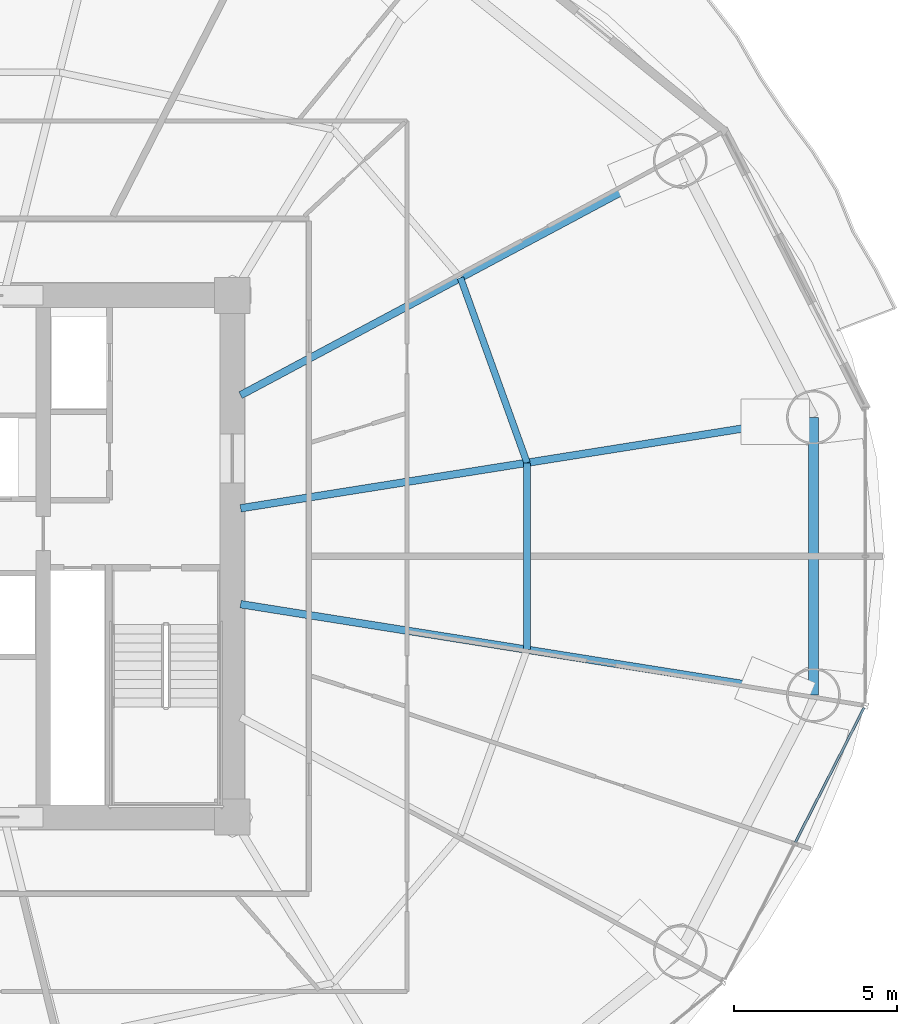
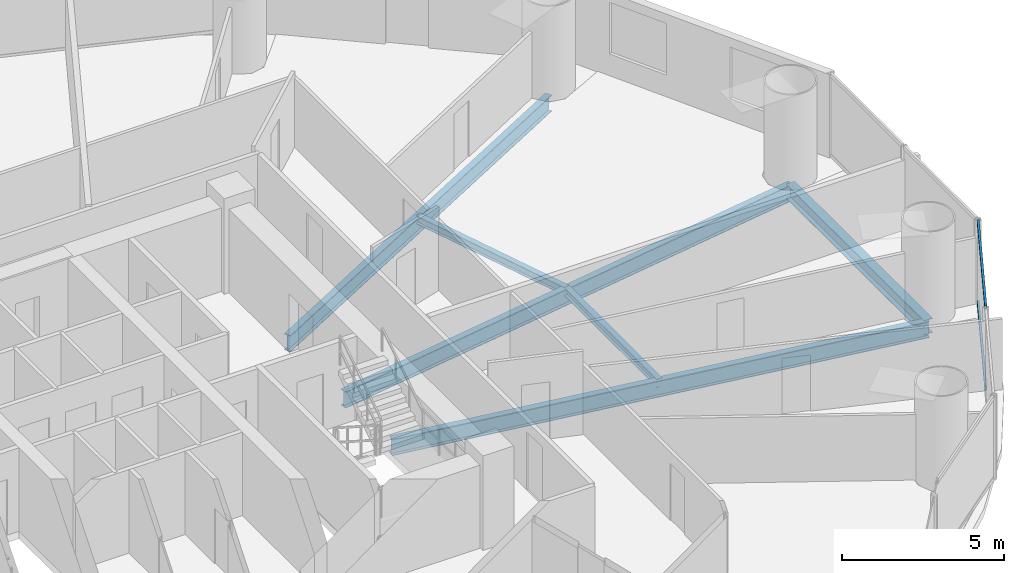
# One storey, part 13 of 29: 6 beams, 2 members, 1 element without a shape of its own.
"""IFC4 building model written with IfcOpenShell, lengths in metres."""

from ifc_helpers import new_model, si_unit, direction, frame, origin, origin_2d, place, context, subcontext, project, spatial, hollow_rectangle, i_section, extrude, source, transform, mapped, material, material_profile, profile_set, type_object, element, aggregate, save


model = new_model("IFC4")

# Units and contexts
model_context = context("Model", 3, precision=1e-05, world=origin(), true_north=direction((-0.2419218956, 0.970295726276)))
body_context = subcontext(model_context, "Body", "Model", "MODEL_VIEW")
ifc_project = project(units=[si_unit("LENGTHUNIT", "METRE"), si_unit("AREAUNIT", "SQUARE_METRE"), si_unit("VOLUMEUNIT", "CUBIC_METRE"), si_unit("PLANEANGLEUNIT", "RADIAN"), si_unit("MASSUNIT", "GRAM", prefix="KILO")], contexts=[model_context])

# Site, building, storey
site_placement = place(None, origin())
site = spatial("IfcSite", under=ifc_project, at=site_placement, CompositionType="ELEMENT")
building_placement = place(site_placement, origin())
building = spatial("IfcBuilding", under=site, at=building_placement, Name="Cobrevalo Terracotta Tower", CompositionType="ELEMENT")
storey_placement = place(building_placement, frame((0.0, 0.0, 70.800048828125)))
storey = spatial("IfcBuildingStorey", under=building, at=storey_placement, Name="L18", CompositionType="ELEMENT", Elevation=70.800048828125)

# Beams
ifc_material_1 = material(Name="Steel S355", Category="steel")
ifc_material_profile_1 = material_profile(ifc_material_1, i_section(OverallWidth=0.22998046875, OverallDepth=0.616943359375, WebThickness=0.01318359375, FlangeThickness=0.022216796875, at=origin_2d()), Name="W 610x140")
ifc_profile_set_1 = profile_set([ifc_material_profile_1], Name="Steel S355")
beam_type_1 = type_object("IfcBeamType", Name="Structural Beam W 610x140 (Steel S355)", PredefinedType="BEAM", material=ifc_profile_set_1)
beam_1_placement = place(storey_placement, frame((64.824462890625, 31.062744140625, -0.588623046875), z_axis=(-0.987607924622, -0.156941349628, 0.0), x_axis=(0.156941349628, -0.987607924622, 0.0)))
element("IfcBeam", 1, at=beam_1_placement, inside=storey, type_object=beam_type_1, Name="L18 radial floor girder 01", PredefinedType="BEAM", context=body_context, shape_type="SweptSolid", body=[
    extrude(i_section(OverallWidth=0.22998046875, OverallDepth=0.616943359375, WebThickness=0.01318359375, FlangeThickness=0.022216796875, at=origin_2d()), origin(), (0.0, 0.0, 1.0), 17.7900390625),
])
beam_2_placement = place(storey_placement, frame((60.74072265625, 38.939208984375, -0.588623046875), z_axis=(-0.88218223571, -0.470908168329, 0.0), x_axis=(0.470908168329, -0.88218223571, 0.0)))
element("IfcBeam", 2, at=beam_2_placement, inside=storey, type_object=beam_type_1, Name="L18 radial floor girder 02", PredefinedType="BEAM", context=body_context, shape_type="SweptSolid", body=[
    extrude(i_section(OverallWidth=0.22998046875, OverallDepth=0.616943359375, WebThickness=0.01318359375, FlangeThickness=0.022216796875, at=origin_2d()), origin(), (0.0, 0.0, 1.0), 15.286865234375),
])
beam_3_placement = place(storey_placement, frame((64.824462890625, 22.537353515625, -0.588623046875), z_axis=(-0.987607924622, 0.156941349628, 0.0), x_axis=(-0.156941349628, -0.987607924622, 0.0)))
element("IfcBeam", 3, at=beam_3_placement, inside=storey, type_object=beam_type_1, Name="L18 radial floor girder 16", PredefinedType="BEAM", context=body_context, shape_type="SweptSolid", body=[
    extrude(i_section(OverallWidth=0.22998046875, OverallDepth=0.616943359375, WebThickness=0.01318359375, FlangeThickness=0.022216796875, at=origin_2d()), origin(), (0.0, 0.0, 1.0), 17.7900390625),
])
ifc_material_profile_2 = material_profile(ifc_material_1, i_section(OverallWidth=0.2041015625, OverallDepth=0.305908203125, WebThickness=0.008544921875, FlangeThickness=0.0146484375, at=origin_2d()), Name="W 310x67")
ifc_profile_set_2 = profile_set([ifc_material_profile_2], Name="Steel S355")
beam_type_2 = type_object("IfcBeamType", Name="Structural Joist W 310x67 (Steel S355)", PredefinedType="JOIST", material=ifc_profile_set_2)
beam_4_placement = place(storey_placement, frame((56.039794921875, 29.666748046875, -0.43310546875), z_axis=(-0.338672151116, 0.940904444701, 0.0), x_axis=(-0.940904444701, -0.338672151116, 0.0)))
element("IfcBeam", 4, at=beam_4_placement, inside=storey, type_object=beam_type_2, Name="L18 circumferential secondary floor joist 01", PredefinedType="JOIST", context=body_context, shape_type="SweptSolid", body=[
    extrude(i_section(OverallWidth=0.2041015625, OverallDepth=0.305908203125, WebThickness=0.008544921875, FlangeThickness=0.0146484375, at=origin_2d()), origin(), (0.0, 0.0, 1.0), 6.029296875),
])
beam_5_placement = place(storey_placement, frame((56.039794921875, 23.933349609375, -0.43310546875), z_axis=(0.0, 1.0, 0.0), x_axis=(-1.0, 0.0, 0.0)))
element("IfcBeam", 5, at=beam_5_placement, inside=storey, type_object=beam_type_2, Name="L18 circumferential secondary floor joist 16", PredefinedType="JOIST", context=body_context, shape_type="SweptSolid", body=[
    extrude(i_section(OverallWidth=0.2041015625, OverallDepth=0.305908203125, WebThickness=0.008544921875, FlangeThickness=0.0146484375, at=origin_2d()), origin(), (0.0, 0.0, 1.0), 5.7333984375),
])
ifc_material_profile_3 = material_profile(ifc_material_1, i_section(OverallWidth=0.31201171875, OverallDepth=0.54296875, WebThickness=0.0126953125, FlangeThickness=0.020263671875, at=origin_2d()), Name="W 530x150")
ifc_profile_set_3 = profile_set([ifc_material_profile_3], Name="Steel S355")
beam_type_3 = type_object("IfcBeamType", Name="Structural Spandrel W 530x150 (Steel S355)", PredefinedType="SPANDREL", material=ifc_profile_set_3)
beam_6_placement = place(storey_placement, frame((64.824462890625, 22.537353515625, -0.551513671875), z_axis=(0.0, 1.0, 0.0), x_axis=(-1.0, 0.0, 0.0)))
element("IfcBeam", 6, at=beam_6_placement, inside=storey, type_object=beam_type_3, Name="L18 perimeter ring spandrel 16", PredefinedType="SPANDREL", context=body_context, shape_type="SweptSolid", body=[
    extrude(i_section(OverallWidth=0.31201171875, OverallDepth=0.54296875, WebThickness=0.0126953125, FlangeThickness=0.020263671875, at=origin_2d()), origin(), (0.0, 0.0, 1.0), 8.525390625),
])

# Curtain wall, members
ifc_material_2 = material(Name="Anodized aluminium", Category="aluminium")
curtain_wall_type = type_object("IfcCurtainWallType", Name="Lower-tower unitised acoustic low-E curtain wall CW-U1", PredefinedType="NOTDEFINED", material=ifc_material_2)
curtain_wall_placement = place(storey_placement, origin())
curtain_wall = element("IfcCurtainWall", 7, at=curtain_wall_placement, inside=storey, type_object=curtain_wall_type, Name="L18 curtain wall CW-L18-S15", PredefinedType="NOTDEFINED")
ifc_material_profile_4 = material_profile(ifc_material_2, hollow_rectangle(XDim=0.074951171875, YDim=0.14990234375, WallThickness=0.00439453125, at=origin_2d()), Name="CWT 75x150")
ifc_profile_set_4 = profile_set([ifc_material_profile_4], Name="Anodized aluminium")
member_type = type_object("IfcMemberType", Name="Tower unitised aluminium transom 75x150", PredefinedType="USERDEFINED", material=ifc_profile_set_4)
shared_shape = source(origin(), body_context, "Body", "SweptSolid", [
    extrude(hollow_rectangle(XDim=0.074951171875, YDim=0.14990234375, WallThickness=0.00439453125, at=origin_2d()), origin(), (0.0, 0.0, 1.0), 4.630859375),
])
member_1_placement = place(storey_placement, frame((64.268798828125, 18.026611328125, 0.050048828125), z_axis=(0.455229952508, 0.890373904795, 0.0), x_axis=(-0.890373904795, 0.455229952508, 0.0)))
member_1 = element("IfcMember", 8, at=member_1_placement, type_object=member_type, Name="CW-L18-S15 transom B02-T1", ObjectType="TRANSOM", PredefinedType="USERDEFINED", context=body_context, shape_type="MappedRepresentation", body=[
    mapped(shared_shape, transform((0.0, 0.0, 0.0), scale=1.0)),
])
member_2_placement = place(storey_placement, frame((64.268798828125, 18.026611328125, 3.099853515625), z_axis=(0.455229952508, 0.890373904795, 0.0), x_axis=(-0.890373904795, 0.455229952508, 0.0)))
member_2 = element("IfcMember", 9, at=member_2_placement, type_object=member_type, Name="CW-L18-S15 transom B02-T2", ObjectType="TRANSOM", PredefinedType="USERDEFINED", context=body_context, shape_type="MappedRepresentation", body=[
    mapped(shared_shape, transform((0.0, 0.0, 0.0), scale=1.0)),
])
aggregate(curtain_wall, [member_1, member_2])

save(model, "model.ifc")
